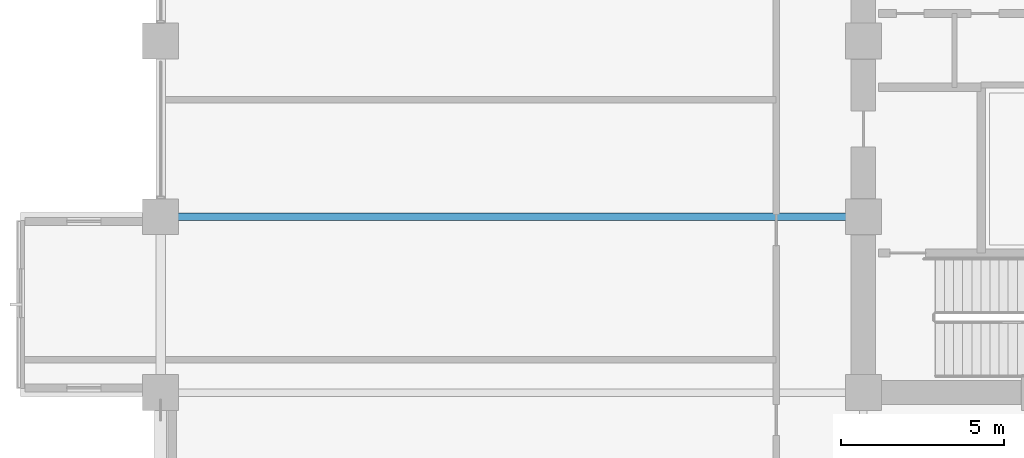
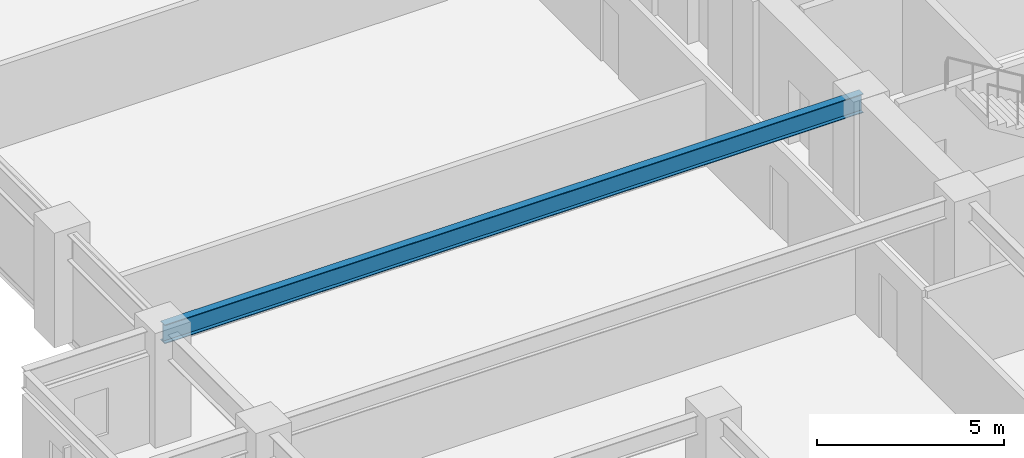
# One storey, part 6 of 29: 1 beam.
"""IFC4 building model written with IfcOpenShell, lengths in metres."""

import ifcopenshell
import ifcopenshell.guid

model = None  # the IFC model being written
_history = None  # IfcOwnerHistory: only IFC2X3 demands one
_inside = {}  # id of a spatial element -> (the spatial element, [elements in it])
_under = {}  # id of a project, library or spatial element -> (it, [spatial elements below it])
_declared = {}  # id of a project -> (the project, [libraries it declares])
_typed = {}  # id of a type object -> (the type object, [elements of that type])
_made_of = {}  # id of a material, layer set ... -> (it, [elements and type objects made of it])


def new_model(schema):
    """Start an empty IFC model of exactly this schema.

    Asked for "IFC4X3", IfcOpenShell would pick the latest addendum, in which some entities
    have other attributes; the version numbers below select the first issue.
    IFC2X3 requires an IfcOwnerHistory on every rooted entity: one is made here for all.
    """
    global model, _history
    if schema == "IFC4X3":
        model = ifcopenshell.file(schema_version=(4, 3, 0, 0))
    else:
        model = ifcopenshell.file(schema=schema)
    _inside.clear()
    _under.clear()
    _declared.clear()
    _typed.clear()
    _made_of.clear()
    _history = None
    if model.schema == "IFC2X3":
        org = make("IfcOrganization", Name="unknown")
        user = make(
            "IfcPersonAndOrganization",
            ThePerson=make("IfcPerson", FamilyName="unknown"),
            TheOrganization=org,
        )
        app = make(
            "IfcApplication",
            ApplicationDeveloper=org,
            Version="unknown",
            ApplicationFullName="unknown",
            ApplicationIdentifier="unknown",
        )
        _history = make(
            "IfcOwnerHistory",
            OwningUser=user,
            OwningApplication=app,
            ChangeAction="ADDED",
            CreationDate=0,
        )
    return model


def make(cls, **values):
    """One entity of the class cls with the attributes given. An attribute that is None is left unset."""
    return model.create_entity(
        cls, **{name: value for name, value in values.items() if value is not None}
    )


def rooted(cls, **values):
    """An entity with a GlobalId (a new one), such as an element, a storey or a relation."""
    return make(cls, GlobalId=ifcopenshell.guid.new(), OwnerHistory=_history, **values)


def si_unit(unit_type, name, prefix=None):
    """IfcSIUnit, for example si_unit("LENGTHUNIT", "METRE", prefix="MILLI")."""
    return make("IfcSIUnit", UnitType=unit_type, Prefix=prefix, Name=name)


def assignment(units):
    """IfcUnitAssignment: the units of a project."""
    return None if units is None else make("IfcUnitAssignment", Units=units)


def point(xyz):
    """IfcCartesianPoint."""
    return None if xyz is None else make("IfcCartesianPoint", Coordinates=xyz)


def direction(xyz):
    """IfcDirection."""
    return None if xyz is None else make("IfcDirection", DirectionRatios=xyz)


def frame(location, z_axis=None, x_axis=None):
    """IfcAxis2Placement3D, a coordinate frame: its origin and axes. An axis left out is left unset."""
    return make(
        "IfcAxis2Placement3D",
        Location=point(location),
        Axis=direction(z_axis),
        RefDirection=direction(x_axis),
    )


def frame_2d(location, x_axis=None):
    """IfcAxis2Placement2D, a coordinate frame in the plane: its origin and x axis."""
    return make(
        "IfcAxis2Placement2D", Location=point(location), RefDirection=direction(x_axis)
    )


def origin():
    """The frame at (0, 0, 0) with its axes left unset."""
    return frame((0.0, 0.0, 0.0))


def origin_2d():
    """The frame at (0, 0) in the plane with its x axis left unset."""
    return frame_2d((0.0, 0.0))


def place(relative_to, where):
    """IfcLocalPlacement: puts the frame where relative to a parent placement (None: the world)."""
    return make(
        "IfcLocalPlacement", PlacementRelTo=relative_to, RelativePlacement=where
    )


def context(
    kind, dimensions, precision=None, world=None, true_north=None, identifier=None
):
    """IfcGeometricRepresentationContext, for example the 3D "Model" context."""
    return make(
        "IfcGeometricRepresentationContext",
        ContextIdentifier=identifier,
        ContextType=kind,
        CoordinateSpaceDimension=dimensions,
        Precision=precision,
        WorldCoordinateSystem=world,
        TrueNorth=true_north,
    )


def subcontext(parent, identifier, kind, view, scale=None):
    """IfcGeometricRepresentationSubContext, for example "Body" below "Model"."""
    return make(
        "IfcGeometricRepresentationSubContext",
        ContextIdentifier=identifier,
        ContextType=kind,
        ParentContext=parent,
        TargetScale=scale,
        TargetView=view,
    )


def project(units=None, contexts=None):
    """IfcProject with its units and contexts."""
    return rooted(
        "IfcProject",
        Name="project",
        RepresentationContexts=contexts,
        UnitsInContext=assignment(units),
    )


def spatial(cls, under=None, at=None, **own):
    """A site, building, storey or space (cls), placed at a placement, below another one or the project."""
    s = rooted(cls, ObjectPlacement=at, **own)
    if under is not None:
        _under.setdefault(under.id(), (under, []))[1].append(s)
    return s


def profile(cls, at=None, kind="AREA", **sizes):
    """A parametric profile (cls). Its sizes go by their IFC names, for example OverallWidth=200.0."""
    return make(cls, ProfileType=kind, Position=at, **sizes)


def i_section(**sizes):
    """IfcIShapeProfileDef."""
    return profile("IfcIShapeProfileDef", **sizes)


def extrude(swept, where, along, depth):
    """IfcExtrudedAreaSolid: the profile swept, set in the frame where, extruded along a direction by depth."""
    return make(
        "IfcExtrudedAreaSolid",
        SweptArea=swept,
        Position=where,
        ExtrudedDirection=direction(along),
        Depth=depth,
    )


def shape(context_of_items, identifier, shape_type, items):
    """IfcShapeRepresentation: the items that make up one representation, for example the "Body"."""
    return make(
        "IfcShapeRepresentation",
        ContextOfItems=context_of_items,
        RepresentationIdentifier=identifier,
        RepresentationType=shape_type,
        Items=items,
    )


def material(Name=None, Category=None):
    """IfcMaterial."""
    return make("IfcMaterial", Name=Name, Category=Category)


def material_profile(
    of_material, cross_section, Name=None, Category=None, Priority=None
):
    """IfcMaterialProfile: a cross section and its material."""
    return make(
        "IfcMaterialProfile",
        Name=Name,
        Material=of_material,
        Profile=cross_section,
        Priority=Priority,
        Category=Category,
    )


def profile_set(profiles, Name=None, composite=None):
    """IfcMaterialProfileSet."""
    return make(
        "IfcMaterialProfileSet",
        Name=Name,
        MaterialProfiles=profiles,
        CompositeProfile=composite,
    )


def made_of(thing, what):
    """Note that an element or type object is made of a material, layer set ...; save() writes the relation."""
    if what is not None:
        _made_of.setdefault(what.id(), (what, []))[1].append(thing)
    return thing


def type_object(cls, material=None, **own):
    """A type object (cls), such as IfcWallType, which elements share."""
    return made_of(rooted(cls, **own), material)


def element(
    cls,
    number,
    at=None,
    inside=None,
    cuts=None,
    type_object=None,
    material=None,
    context=None,
    identifier="Body",
    shape_type=None,
    held_by="IfcProductDefinitionShape",
    body=None,
    shapes=None,
    **own,
):
    """One element of the class cls, such as IfcWall. Its Tag is "e" and its number.

    at: its placement. inside: the storey or other place that contains it. cuts: it is an
    opening in that element (IfcRelVoidsElement). A single representation is given by context,
    identifier, shape_type and body (its items); several are given by shapes. held_by: the class
    of the entity that holds the representations. save() writes the other relations.
    """
    e = rooted(cls, Tag="e%d" % number, ObjectPlacement=at, **own)
    if body is not None:
        shapes = [shape(context, identifier, shape_type, body)]
    if shapes is not None:
        e.Representation = make(held_by, Representations=shapes)
    if inside is not None:
        _inside.setdefault(inside.id(), (inside, []))[1].append(e)
    if cuts is not None:
        rooted(
            "IfcRelVoidsElement", RelatingBuildingElement=cuts, RelatedOpeningElement=e
        )
    if type_object is not None:
        _typed.setdefault(type_object.id(), (type_object, []))[1].append(e)
    return made_of(e, material)


def aggregate(whole, parts):
    """IfcRelAggregates: a whole, such as a stair, and the parts it consists of."""
    return rooted("IfcRelAggregates", RelatingObject=whole, RelatedObjects=parts)


def save(model, path):
    """Write the relations noted so far, then the file.

    IfcRelAggregates (storeys below a building ...), IfcRelContainedInSpatialStructure (elements
    in a storey), IfcRelDefinesByType, IfcRelAssociatesMaterial and IfcRelDeclares: one each for
    every whole, place, type object, material and project.
    """
    for whole, parts in _under.values():
        aggregate(whole, parts)
    for where, things in _inside.values():
        rooted(
            "IfcRelContainedInSpatialStructure",
            RelatedElements=things,
            RelatingStructure=where,
        )
    for kind, things in _typed.values():
        rooted("IfcRelDefinesByType", RelatedObjects=things, RelatingType=kind)
    for what, things in _made_of.values():
        rooted("IfcRelAssociatesMaterial", RelatedObjects=things, RelatingMaterial=what)
    for by, libraries in _declared.values():
        rooted("IfcRelDeclares", RelatingContext=by, RelatedDefinitions=libraries)
    model.write(path)


model = new_model("IFC4")

# Units and contexts
model_context = context("Model", 3, precision=1e-05, world=origin(), true_north=direction((0.0, 1.0)))
body_context = subcontext(model_context, "Body", "Model", "MODEL_VIEW")
ifc_project = project(units=[si_unit("LENGTHUNIT", "METRE"), si_unit("AREAUNIT", "SQUARE_METRE"), si_unit("VOLUMEUNIT", "CUBIC_METRE"), si_unit("PLANEANGLEUNIT", "RADIAN"), si_unit("MASSUNIT", "GRAM", prefix="KILO")], contexts=[model_context])

# Site, building, storey
site_placement = place(None, origin())
site = spatial("IfcSite", under=ifc_project, at=site_placement, CompositionType="ELEMENT")
building_placement = place(site_placement, origin())
building = spatial("IfcBuilding", under=site, at=building_placement, Name="Surkhivell Harbour Commons", CompositionType="ELEMENT")
storey_placement = place(building_placement, frame((0.0, 0.0, 87.0)))
storey = spatial("IfcBuildingStorey", under=building, at=storey_placement, Name="L22", CompositionType="ELEMENT", Elevation=87.0)

# Beam
ifc_material = material(Name="Steel S355", Category="steel")
ifc_material_profile = material_profile(ifc_material, i_section(OverallWidth=0.22998046875, OverallDepth=0.616943359375, WebThickness=0.01318359375, FlangeThickness=0.022216796875, at=origin_2d()), Name="UB610x229x140")
ifc_profile_set = profile_set([ifc_material_profile], Name="Steel S355")
beam_type = type_object("IfcBeamType", Name="BM-GRD-610B", PredefinedType="BEAM", material=ifc_profile_set)
beam_placement = place(storey_placement, frame((-32.39990234375, -5.39990234375, 3.261474609375), z_axis=(1.0, 0.0, 0.0), x_axis=(0.0, 1.0, 0.0)))
element("IfcBeam", 1, at=beam_placement, inside=storey, type_object=beam_type, Name="L22 Cantilever Back-Span Girder (-32.4,-5.4)", PredefinedType="BEAM", context=body_context, shape_type="SweptSolid", body=[
    extrude(i_section(OverallWidth=0.22998046875, OverallDepth=0.616943359375, WebThickness=0.01318359375, FlangeThickness=0.022216796875, at=origin_2d()), origin(), (0.0, 0.0, 1.0), 21.599853515625),
])

save(model, "model.ifc")
